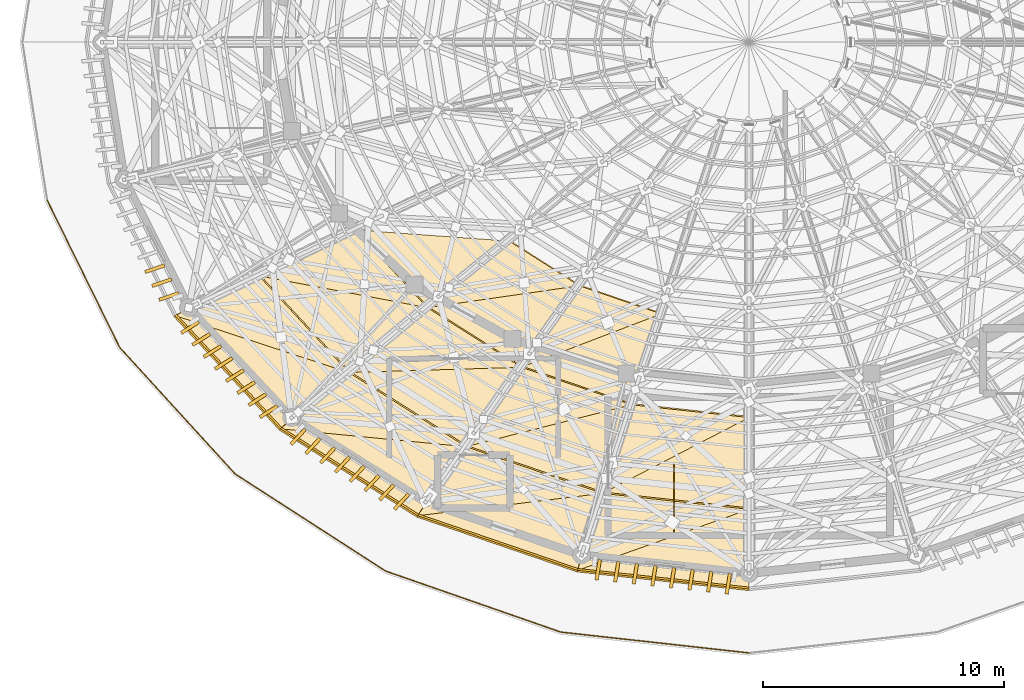
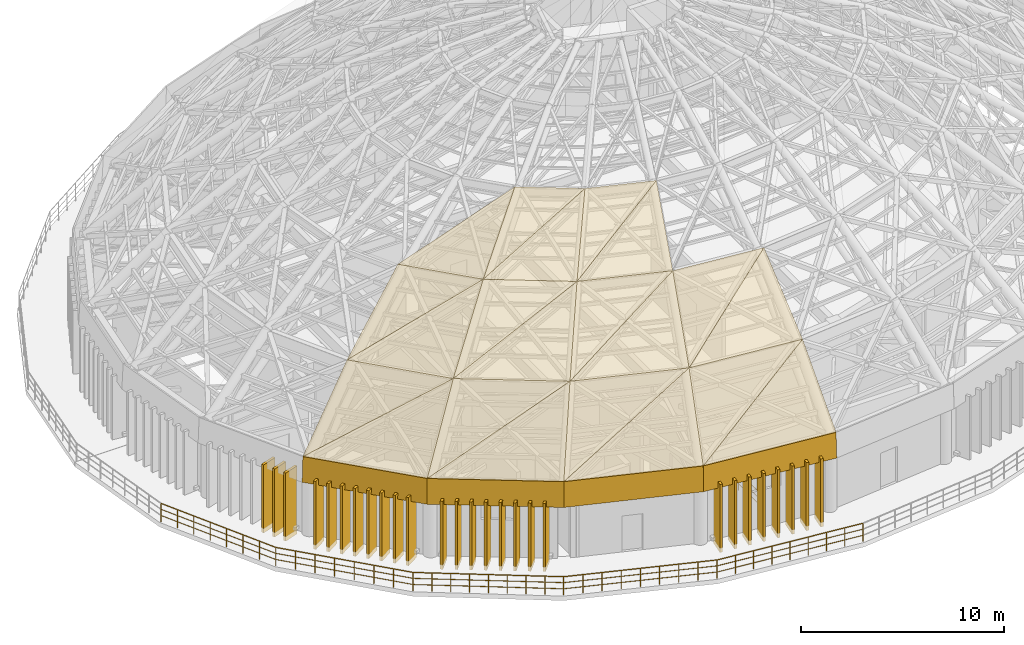
# One storey, part 42 of 50: 27 shading devices, 25 coverings, 6 railings, 2 elements without a shape of their own.
"""IFC4 building model written with IfcOpenShell, lengths in metres."""

from ifc_helpers import new_model, si_unit, direction, frame, origin, origin_2d, place, context, subcontext, project, spatial, polyline, rectangle, circle, outline, extrude, material, layer, layer_set, type_object, element, aggregate, save


model = new_model("IFC4")

# Units and contexts
model_context = context("Model", 3, precision=1e-05, world=origin(), true_north=direction((0.0, 1.0)))
body_context = subcontext(model_context, "Body", "Model", "MODEL_VIEW")
ifc_project = project(units=[si_unit("LENGTHUNIT", "METRE"), si_unit("AREAUNIT", "SQUARE_METRE"), si_unit("VOLUMEUNIT", "CUBIC_METRE"), si_unit("PLANEANGLEUNIT", "RADIAN"), si_unit("MASSUNIT", "GRAM", prefix="KILO")], contexts=[model_context])

# Site, building, storey
site_placement = place(None, origin())
site = spatial("IfcSite", under=ifc_project, at=site_placement, CompositionType="ELEMENT")
building_placement = place(site_placement, origin())
building = spatial("IfcBuilding", under=site, at=building_placement, Name="Cinderbank Siding Concert Hall", CompositionType="ELEMENT")
storey_placement = place(building_placement, frame((0.0, 0.0, 23.699951171875)))
storey = spatial("IfcBuildingStorey", under=building, at=storey_placement, Name="L06", CompositionType="ELEMENT", Elevation=23.699951171875)

# Railings
ifc_material_1 = material(Name="Structural steel AS/NZS 3679.1 Grade 350 (340 MPa)", Category="steel")
railing_type_1 = type_object("IfcRailingType", Name="GD-01 Terrace & Perimeter Guardrail 1120mm", PredefinedType="GUARDRAIL", material=ifc_material_1)
railing_1_placement = place(storey_placement, frame((122.0, 18.70068359375, 0.0)))
element("IfcRailing", 1, at=railing_1_placement, inside=storey, type_object=railing_type_1, Name="L06 Perimeter Guardrail #157", PredefinedType="GUARDRAIL", context=body_context, shape_type="SweptSolid", body=[
    extrude(circle(Radius=0.02392578125, at=origin_2d()), frame((0.0, 0.0, 1.09619140625), z_axis=(-0.993925427563, 0.110055642488, 0.0), x_axis=(-0.110055642488, -0.993925427563, 0.0)), (0.0, 0.0, 1.0), 7.841796875),
    extrude(circle(Radius=0.01611328125, at=origin_2d()), frame((0.0, 0.0, 0.36962890625), z_axis=(-0.993925427563, 0.110055642488, 0.0), x_axis=(-0.110055642488, -0.993925427563, 0.0)), (0.0, 0.0, 1.0), 7.841796875),
    extrude(circle(Radius=0.01611328125, at=origin_2d()), frame((0.0, 0.0, 0.7392578125), z_axis=(-0.993925427563, 0.110055642488, 0.0), x_axis=(-0.110055642488, -0.993925427563, 0.0)), (0.0, 0.0, 1.0), 7.841796875),
    extrude(circle(Radius=0.02099609375, at=origin_2d()), origin(), (0.0, 0.0, 1.0), 1.072021484375),
    extrude(circle(Radius=0.02099609375, at=origin_2d()), frame((-0.974365234375, 0.10791015625, 0.0)), (0.0, 0.0, 1.0), 1.072021484375),
    extrude(circle(Radius=0.02099609375, at=origin_2d()), frame((-1.948486328125, 0.2158203125, 0.0)), (0.0, 0.0, 1.0), 1.072021484375),
    extrude(circle(Radius=0.02099609375, at=origin_2d()), frame((-2.9228515625, 0.32373046875, 0.0)), (0.0, 0.0, 1.0), 1.072021484375),
    extrude(circle(Radius=0.02099609375, at=origin_2d()), frame((-3.89697265625, 0.431640625, 0.0)), (0.0, 0.0, 1.0), 1.072021484375),
    extrude(circle(Radius=0.02099609375, at=origin_2d()), frame((-4.871337890625, 0.539306640625, 0.0)), (0.0, 0.0, 1.0), 1.072021484375),
    extrude(circle(Radius=0.02099609375, at=origin_2d()), frame((-5.845703125, 0.647216796875, 0.0)), (0.0, 0.0, 1.0), 1.072021484375),
    extrude(circle(Radius=0.02099609375, at=origin_2d()), frame((-6.81982421875, 0.755126953125, 0.0)), (0.0, 0.0, 1.0), 1.072021484375),
    extrude(circle(Radius=0.02099609375, at=origin_2d()), frame((-7.794189453125, 0.863037109375, 0.0)), (0.0, 0.0, 1.0), 1.072021484375),
])
railing_2_placement = place(storey_placement, frame((114.205810546875, 19.563720703125, 0.0)))
element("IfcRailing", 2, at=railing_2_placement, inside=storey, type_object=railing_type_1, Name="L06 Perimeter Guardrail #158", PredefinedType="GUARDRAIL", context=body_context, shape_type="SweptSolid", body=[
    extrude(circle(Radius=0.02392578125, at=origin_2d()), frame((0.0, 0.0, 1.09619140625), z_axis=(-0.94433649483, 0.328981130965, 0.0), x_axis=(-0.328981130965, -0.94433649483, 0.0)), (0.0, 0.0, 1.0), 7.689697265625),
    extrude(circle(Radius=0.01611328125, at=origin_2d()), frame((0.0, 0.0, 0.36962890625), z_axis=(-0.94433649483, 0.328981130965, 0.0), x_axis=(-0.328981130965, -0.94433649483, 0.0)), (0.0, 0.0, 1.0), 7.689697265625),
    extrude(circle(Radius=0.01611328125, at=origin_2d()), frame((0.0, 0.0, 0.7392578125), z_axis=(-0.94433649483, 0.328981130965, 0.0), x_axis=(-0.328981130965, -0.94433649483, 0.0)), (0.0, 0.0, 1.0), 7.689697265625),
    extrude(circle(Radius=0.02099609375, at=origin_2d()), origin(), (0.0, 0.0, 1.0), 1.072021484375),
    extrude(circle(Radius=0.02099609375, at=origin_2d()), frame((-0.90771484375, 0.316162109375, 0.0)), (0.0, 0.0, 1.0), 1.072021484375),
    extrude(circle(Radius=0.02099609375, at=origin_2d()), frame((-1.8154296875, 0.63232421875, 0.0)), (0.0, 0.0, 1.0), 1.072021484375),
    extrude(circle(Radius=0.02099609375, at=origin_2d()), frame((-2.72314453125, 0.94873046875, 0.0)), (0.0, 0.0, 1.0), 1.072021484375),
    extrude(circle(Radius=0.02099609375, at=origin_2d()), frame((-3.630859375, 1.264892578125, 0.0)), (0.0, 0.0, 1.0), 1.072021484375),
    extrude(circle(Radius=0.02099609375, at=origin_2d()), frame((-4.53857421875, 1.5810546875, 0.0)), (0.0, 0.0, 1.0), 1.072021484375),
    extrude(circle(Radius=0.02099609375, at=origin_2d()), frame((-5.4462890625, 1.8974609375, 0.0)), (0.0, 0.0, 1.0), 1.072021484375),
    extrude(circle(Radius=0.02099609375, at=origin_2d()), frame((-6.35400390625, 2.213623046875, 0.0)), (0.0, 0.0, 1.0), 1.072021484375),
    extrude(circle(Radius=0.02099609375, at=origin_2d()), frame((-7.26171875, 2.52978515625, 0.0)), (0.0, 0.0, 1.0), 1.072021484375),
])
railing_3_placement = place(storey_placement, frame((106.944091796875, 22.093505859375, 0.0)))
element("IfcRailing", 3, at=railing_3_placement, inside=storey, type_object=railing_type_1, Name="L06 Perimeter Guardrail #159", PredefinedType="GUARDRAIL", context=body_context, shape_type="SweptSolid", body=[
    extrude(circle(Radius=0.02392578125, at=origin_2d()), frame((0.0, 0.0, 1.09619140625), z_axis=(-0.840220235148, 0.54224529177, 0.0), x_axis=(-0.54224529177, -0.840220235148, 0.0)), (0.0, 0.0, 1.0), 7.4189453125),
    extrude(circle(Radius=0.01611328125, at=origin_2d()), frame((0.0, 0.0, 0.36962890625), z_axis=(-0.840220235148, 0.54224529177, 0.0), x_axis=(-0.54224529177, -0.840220235148, 0.0)), (0.0, 0.0, 1.0), 7.4189453125),
    extrude(circle(Radius=0.01611328125, at=origin_2d()), frame((0.0, 0.0, 0.7392578125), z_axis=(-0.840220235148, 0.54224529177, 0.0), x_axis=(-0.54224529177, -0.840220235148, 0.0)), (0.0, 0.0, 1.0), 7.4189453125),
    extrude(circle(Radius=0.02099609375, at=origin_2d()), origin(), (0.0, 0.0, 1.0), 1.072021484375),
    extrude(circle(Radius=0.02099609375, at=origin_2d()), frame((-0.779296875, 0.5029296875, 0.0)), (0.0, 0.0, 1.0), 1.072021484375),
    extrude(circle(Radius=0.02099609375, at=origin_2d()), frame((-1.558349609375, 1.005859375, 0.0)), (0.0, 0.0, 1.0), 1.072021484375),
    extrude(circle(Radius=0.02099609375, at=origin_2d()), frame((-2.337646484375, 1.508544921875, 0.0)), (0.0, 0.0, 1.0), 1.072021484375),
    extrude(circle(Radius=0.02099609375, at=origin_2d()), frame((-3.11669921875, 2.011474609375, 0.0)), (0.0, 0.0, 1.0), 1.072021484375),
    extrude(circle(Radius=0.02099609375, at=origin_2d()), frame((-3.89599609375, 2.514404296875, 0.0)), (0.0, 0.0, 1.0), 1.072021484375),
    extrude(circle(Radius=0.02099609375, at=origin_2d()), frame((-4.67529296875, 3.01708984375, 0.0)), (0.0, 0.0, 1.0), 1.072021484375),
    extrude(circle(Radius=0.02099609375, at=origin_2d()), frame((-5.454345703125, 3.52001953125, 0.0)), (0.0, 0.0, 1.0), 1.072021484375),
    extrude(circle(Radius=0.02099609375, at=origin_2d()), frame((-6.233642578125, 4.02294921875, 0.0)), (0.0, 0.0, 1.0), 1.072021484375),
])
railing_4_placement = place(storey_placement, frame((100.71044921875, 26.116455078125, 0.0)))
element("IfcRailing", 4, at=railing_4_placement, inside=storey, type_object=railing_type_1, Name="L06 Perimeter Guardrail #160", PredefinedType="GUARDRAIL", context=body_context, shape_type="SweptSolid", body=[
    extrude(circle(Radius=0.02392578125, at=origin_2d()), frame((0.0, 0.0, 1.09619140625), z_axis=(-0.673978793804, 0.738750692387, 0.0), x_axis=(-0.738750692387, -0.673978793804, 0.0)), (0.0, 0.0, 1.0), 7.09375),
    extrude(circle(Radius=0.01611328125, at=origin_2d()), frame((0.0, 0.0, 0.36962890625), z_axis=(-0.673978793804, 0.738750692387, 0.0), x_axis=(-0.738750692387, -0.673978793804, 0.0)), (0.0, 0.0, 1.0), 7.09375),
    extrude(circle(Radius=0.01611328125, at=origin_2d()), frame((0.0, 0.0, 0.7392578125), z_axis=(-0.673978793804, 0.738750692387, 0.0), x_axis=(-0.738750692387, -0.673978793804, 0.0)), (0.0, 0.0, 1.0), 7.09375),
    extrude(circle(Radius=0.02099609375, at=origin_2d()), origin(), (0.0, 0.0, 1.0), 1.072021484375),
    extrude(circle(Radius=0.02099609375, at=origin_2d()), frame((-0.68310546875, 0.74853515625, 0.0)), (0.0, 0.0, 1.0), 1.072021484375),
    extrude(circle(Radius=0.02099609375, at=origin_2d()), frame((-1.365966796875, 1.497314453125, 0.0)), (0.0, 0.0, 1.0), 1.072021484375),
    extrude(circle(Radius=0.02099609375, at=origin_2d()), frame((-2.049072265625, 2.245849609375, 0.0)), (0.0, 0.0, 1.0), 1.072021484375),
    extrude(circle(Radius=0.02099609375, at=origin_2d()), frame((-2.73193359375, 2.99462890625, 0.0)), (0.0, 0.0, 1.0), 1.072021484375),
    extrude(circle(Radius=0.02099609375, at=origin_2d()), frame((-3.4150390625, 3.7431640625, 0.0)), (0.0, 0.0, 1.0), 1.072021484375),
    extrude(circle(Radius=0.02099609375, at=origin_2d()), frame((-4.097900390625, 4.491943359375, 0.0)), (0.0, 0.0, 1.0), 1.072021484375),
    extrude(circle(Radius=0.02099609375, at=origin_2d()), frame((-4.781005859375, 5.240478515625, 0.0)), (0.0, 0.0, 1.0), 1.072021484375),
])
railing_5_placement = place(storey_placement, frame((95.929443359375, 31.35693359375, 0.0)))
element("IfcRailing", 5, at=railing_5_placement, inside=storey, type_object=railing_type_1, Name="L06 Perimeter Guardrail #161", PredefinedType="GUARDRAIL", context=body_context, shape_type="SweptSolid", body=[
    extrude(circle(Radius=0.02392578125, at=origin_2d()), frame((0.0, 0.0, 1.09619140625), z_axis=(-0.441833864592, 0.897096893373, 0.0), x_axis=(-0.897096893373, -0.441833864592, 0.0)), (0.0, 0.0, 1.0), 6.79931640625),
    extrude(circle(Radius=0.01611328125, at=origin_2d()), frame((0.0, 0.0, 0.36962890625), z_axis=(-0.441833864592, 0.897096893373, 0.0), x_axis=(-0.897096893373, -0.441833864592, 0.0)), (0.0, 0.0, 1.0), 6.79931640625),
    extrude(circle(Radius=0.01611328125, at=origin_2d()), frame((0.0, 0.0, 0.7392578125), z_axis=(-0.441833864592, 0.897096893373, 0.0), x_axis=(-0.897096893373, -0.441833864592, 0.0)), (0.0, 0.0, 1.0), 6.79931640625),
    extrude(circle(Radius=0.02099609375, at=origin_2d()), origin(), (0.0, 0.0, 1.0), 1.072021484375),
    extrude(circle(Radius=0.02099609375, at=origin_2d()), frame((-0.42919921875, 0.871337890625, 0.0)), (0.0, 0.0, 1.0), 1.072021484375),
    extrude(circle(Radius=0.02099609375, at=origin_2d()), frame((-0.8583984375, 1.74267578125, 0.0)), (0.0, 0.0, 1.0), 1.072021484375),
    extrude(circle(Radius=0.02099609375, at=origin_2d()), frame((-1.28759765625, 2.614013671875, 0.0)), (0.0, 0.0, 1.0), 1.072021484375),
    extrude(circle(Radius=0.02099609375, at=origin_2d()), frame((-1.716552734375, 3.485595703125, 0.0)), (0.0, 0.0, 1.0), 1.072021484375),
    extrude(circle(Radius=0.02099609375, at=origin_2d()), frame((-2.145751953125, 4.35693359375, 0.0)), (0.0, 0.0, 1.0), 1.072021484375),
    extrude(circle(Radius=0.02099609375, at=origin_2d()), frame((-2.574951171875, 5.228271484375, 0.0)), (0.0, 0.0, 1.0), 1.072021484375),
    extrude(circle(Radius=0.02099609375, at=origin_2d()), frame((-3.004150390625, 6.099609375, 0.0)), (0.0, 0.0, 1.0), 1.072021484375),
])

# Shading devices
ifc_material_2 = material(Name="Glazed architectural terracotta acoustic louvre unit", Category="masonry")
shading_device_type = type_object("IfcShadingDeviceType", Name="LV-02 Terracotta Louvre Blade 850x4050", PredefinedType="JALOUSIE", material=ifc_material_2)
for number, where, z_axis, x_axis, name in (
    (6, (97.38623046875, 34.6181640625, -0.27490234375), (0.0, 0.0, 1.0), (-0.946765351164, -0.321924478466, 0.0), "L06 Terracotta Louvre Blade #287"),
    (7, (97.677001953125, 34.0419921875, -0.27490234375), (0.0, 0.0, 1.0), (-0.946765351164, -0.321924478466, 0.0), "L06 Terracotta Louvre Blade #288"),
    (8, (97.9677734375, 33.4658203125, -0.27490234375), (0.0, 0.0, 1.0), (-0.946765351164, -0.321924478466, 0.0), "L06 Terracotta Louvre Blade #289"),
    (9, (98.84130859375, 32.18359375, -0.27490234375), (0.0, 0.0, 1.0), (-0.846132246596, -0.532973002384, 0.0), "L06 Terracotta Louvre Blade #290"),
    (10, (99.30712890625, 31.68505859375, -0.27490234375), (0.0, 0.0, 1.0), (-0.846132246596, -0.532973002384, 0.0), "L06 Terracotta Louvre Blade #291"),
    (11, (99.77294921875, 31.186767578125, -0.27490234375), (0.0, 0.0, 1.0), (-0.846132246596, -0.532973002384, 0.0), "L06 Terracotta Louvre Blade #292"),
    (12, (100.23876953125, 30.6884765625, -0.27490234375), (0.0, 0.0, 1.0), (-0.846132246596, -0.532973002384, 0.0), "L06 Terracotta Louvre Blade #293"),
    (13, (100.704345703125, 30.190185546875, -0.27490234375), (0.0, 0.0, 1.0), (-0.846132246596, -0.532973002384, 0.0), "L06 Terracotta Louvre Blade #294"),
    (14, (101.170166015625, 29.69189453125, -0.27490234375), (0.0, 0.0, 1.0), (-0.846132246596, -0.532973002384, 0.0), "L06 Terracotta Louvre Blade #295"),
    (15, (101.635986328125, 29.193603515625, -0.27490234375), (0.0, 0.0, 1.0), (-0.846132246596, -0.532973002384, 0.0), "L06 Terracotta Louvre Blade #296"),
    (16, (102.101806640625, 28.6953125, -0.27490234375), (0.0, 0.0, 1.0), (-0.846132246596, -0.532973002384, 0.0), "L06 Terracotta Louvre Blade #297"),
    (17, (103.3232421875, 27.656005859375, -0.27490234375), (0.0, 0.0, 1.0), (-0.682869257989, -0.730540605643, 0.0), "L06 Terracotta Louvre Blade #298"),
    (18, (103.9345703125, 27.27099609375, -0.27490234375), (0.0, 0.0, 1.0), (-0.682869257989, -0.730540605643, 0.0), "L06 Terracotta Louvre Blade #299"),
    (19, (104.5458984375, 26.885986328125, -0.27490234375), (0.0, 0.0, 1.0), (-0.682869257989, -0.730540605643, 0.0), "L06 Terracotta Louvre Blade #300"),
    (20, (105.1572265625, 26.5009765625, -0.27490234375), (0.0, 0.0, 1.0), (-0.682869257989, -0.730540605643, 0.0), "L06 Terracotta Louvre Blade #301"),
    (21, (105.7685546875, 26.11572265625, -0.27490234375), (0.0, 0.0, 1.0), (-0.682869257989, -0.730540605643, 0.0), "L06 Terracotta Louvre Blade #302"),
    (22, (106.3798828125, 25.730712890625, -0.27490234375), (0.0, 0.0, 1.0), (-0.682869257989, -0.730540605643, 0.0), "L06 Terracotta Louvre Blade #303"),
    (23, (106.9912109375, 25.345703125, -0.27490234375), (0.0, 0.0, 1.0), (-0.682869257989, -0.730540605643, 0.0), "L06 Terracotta Louvre Blade #304"),
    (24, (107.602294921875, 24.960693359375, -0.27490234375), (0.0, 0.0, 1.0), (-0.682869257989, -0.730540605643, 0.0), "L06 Terracotta Louvre Blade #305"),
    (25, (115.75244140625, 22.142822265625, -0.27490234375), (0.0, 0.0, 1.0), (-0.158354123126, -0.987382383724, 0.0), "L06 Terracotta Louvre Blade #306"),
    (26, (116.522705078125, 22.0595703125, -0.27490234375), (0.0, 0.0, 1.0), (-0.158354123126, -0.987382383724, 0.0), "L06 Terracotta Louvre Blade #307"),
    (27, (117.292724609375, 21.976318359375, -0.27490234375), (0.0, 0.0, 1.0), (-0.158354123126, -0.987382383724, 0.0), "L06 Terracotta Louvre Blade #308"),
    (28, (118.062744140625, 21.89306640625, -0.27490234375), (0.0, 0.0, 1.0), (-0.158354123126, -0.987382383724, 0.0), "L06 Terracotta Louvre Blade #309"),
    (29, (118.8330078125, 21.809814453125, -0.27490234375), (0.0, 0.0, 1.0), (-0.158354123126, -0.987382383724, 0.0), "L06 Terracotta Louvre Blade #310"),
    (30, (119.60302734375, 21.726806640625, -0.27490234375), (0.0, 0.0, 1.0), (-0.158354123126, -0.987382383724, 0.0), "L06 Terracotta Louvre Blade #311"),
    (31, (120.373291015625, 21.643310546875, -0.27490234375), (0.0, 0.0, 1.0), (-0.158354123126, -0.987382383724, 0.0), "L06 Terracotta Louvre Blade #312"),
    (32, (121.143310546875, 21.560302734375, -0.27490234375), (0.0, 0.0, 1.0), (-0.158354123126, -0.987382383724, 0.0), "L06 Terracotta Louvre Blade #313"),
):
    element("IfcShadingDevice", number, at=place(storey_placement, frame(where, z_axis=z_axis, x_axis=x_axis)), inside=storey, type_object=shading_device_type, Name=name, PredefinedType="JALOUSIE", context=body_context, shape_type="SweptSolid", body=[
        extrude(rectangle(XDim=0.85009765625, YDim=0.139892578125, at=origin_2d()), origin(), (0.0, 0.0, 1.0), 4.090087890625),
    ])

# Roof, coverings
ifc_material_3 = material(Name="Patinated sheet copper roofing", Category="metal")
roof_type = type_object("IfcRoofType", Name="RF-DM1 Schwedler Dome Sector Roof", PredefinedType="DOME_ROOF", material=ifc_material_3)
roof_1_placement = place(storey_placement, origin())
roof_1 = element("IfcRoof", 33, at=roof_1_placement, inside=storey, type_object=roof_type, Name="Schwedler Dome Roof Bay 08", PredefinedType="DOME_ROOF")
ifc_layer = layer(ifc_material_3, 0.080078125)
ifc_layer_set = layer_set([ifc_layer], Name="Patinated sheet copper roofing")
covering_type = type_object("IfcCoveringType", Name="RC-01 Standing Seam Copper Roofing", PredefinedType="ROOFING", material=ifc_layer_set)
covering_1_placement = place(storey_placement, frame((98.1669921875, 32.639892578125, 3.449951171875), z_axis=(-0.731720505767, -0.680086197428, 0.045473789239), x_axis=(0.68079045371, -0.732478230487, 1.4062e-08)))
covering_1 = element("IfcCovering", 34, at=covering_1_placement, type_object=covering_type, Name="Dome Springing Copper Fascia B08-0", PredefinedType="ROOFING", context=body_context, shape_type="SweptSolid", body=[
    extrude(outline(polyline([(0.0, 0.0), (6.423840901729181, 0.0), (6.420307234870011, 1.5015532181929938), (0.015468567804986698, 1.5015533987815566), (0.0, 0.0)])), origin(), (0.0, 0.0, -1.0), 0.080078125),
])
covering_2_placement = place(storey_placement, frame((98.2275390625, 32.675048828125, 4.949951171875), z_axis=(-0.513510049053, -0.477512232968, 0.712944245286), x_axis=(0.680972790653, -0.732308717953, 0.0)))
covering_2 = element("IfcCovering", 35, at=covering_2_placement, type_object=covering_type, Name="Dome Copper Facet B08-0-0-0", PredefinedType="ROOFING", context=body_context, shape_type="SweptSolid", body=[
    extrude(outline(polyline([(0.0, 0.0), (6.405989706752592, 0.0), (6.6231926006766235, 5.134043440855763), (0.0, 0.0)])), origin(), (0.0, 0.0, -1.0), 0.080078125),
])
covering_3_placement = place(storey_placement, frame((98.2275390625, 32.675048828125, 4.949951171875), z_axis=(-0.513510097467, -0.477503388836, 0.712950133915), x_axis=(0.858071467448, -0.281343026556, 0.429603838624)))
covering_3 = element("IfcCovering", 36, at=covering_3_placement, type_object=covering_type, Name="Dome Copper Facet B08-0-0-1", PredefinedType="ROOFING", context=body_context, shape_type="SweptSolid", body=[
    extrude(outline(polyline([(0.0, 0.0), (8.380040708627355, -4.440892098500626e-16), (4.054882344360714, 3.3527417654039806), (0.0, 0.0)])), origin(), (0.0, 0.0, -1.0), 0.080078125),
])
covering_4_placement = place(storey_placement, frame((101.691650390625, 34.324951171875, 8.550048828125), z_axis=(-0.4430253953, -0.411960988965, 0.796251620212), x_axis=(0.680965992364, -0.732315039613, 0.0)))
covering_4 = element("IfcCovering", 37, at=covering_4_placement, type_object=covering_type, Name="Dome Copper Facet B08-0-1-0", PredefinedType="ROOFING", context=body_context, shape_type="SweptSolid", body=[
    extrude(outline(polyline([(0.0, 0.0), (5.472464912767361, 0.0), (5.719694060785756, 5.289476391317351), (0.0, 0.0)])), origin(), (0.0, 0.0, -1.0), 0.080078125),
])
covering_5_placement = place(storey_placement, frame((101.691650390625, 34.324951171875, 8.550048828125), z_axis=(-0.443021662991, -0.412058505526, 0.796203236708), x_axis=(0.895854920114, -0.169506393217, 0.410745109243)))
covering_5 = element("IfcCovering", 38, at=covering_5_placement, type_object=covering_type, Name="Dome Copper Facet B08-0-1-1", PredefinedType="ROOFING", context=body_context, shape_type="SweptSolid", body=[
    extrude(outline(polyline([(0.0, 0.0), (7.790600788340491, 2.220446049250313e-16), (4.561043120100449, 2.98605726859041), (0.0, 0.0)])), origin(), (0.0, 0.0, -1.0), 0.080078125),
])
covering_6_placement = place(storey_placement, frame((105.67529296875, 36.22509765625, 11.75), z_axis=(-0.385275074516, -0.358347874796, 0.850382218527), x_axis=(0.681055500194, -0.732231797763, 0.0)))
covering_6 = element("IfcCovering", 39, at=covering_6_placement, type_object=covering_type, Name="Dome Copper Facet B08-0-2-0", PredefinedType="ROOFING", context=body_context, shape_type="SweptSolid", body=[
    extrude(outline(polyline([(0.0, 0.0), (4.398474820183659, 2.220446049250313e-16), (4.690814720491108, 5.131372962397389), (0.0, 0.0)])), origin(), (0.0, 0.0, -1.0), 0.080078125),
])
covering_7_placement = place(storey_placement, frame((102.540283203125, 27.9345703125, 3.449951171875), z_axis=(-0.534573158266, -0.843899020914, 0.045453063279), x_axis=(0.844772102528, -0.535126241919, -4.5668e-07)))
covering_7 = element("IfcCovering", 40, at=covering_7_placement, type_object=covering_type, Name="Dome Springing Copper Fascia B08-1", PredefinedType="ROOFING", context=body_context, shape_type="SweptSolid", body=[
    extrude(outline(polyline([(0.0, 0.0), (6.7470780022843915, 0.0), (6.742238085789674, 1.501554973002117), (0.01547617922386426, 1.501548813396729), (0.0, 0.0)])), origin(), (0.0, 0.0, -1.0), 0.080078125),
])
covering_8_placement = place(storey_placement, frame((102.58984375, 27.98388671875, 4.949951171875), z_axis=(-0.384371855072, -0.607100523449, 0.695476262325), x_axis=(0.844897790978, -0.534927773443, 0.0)))
covering_8 = element("IfcCovering", 41, at=covering_8_placement, type_object=covering_type, Name="Dome Copper Facet B08-1-0-0", PredefinedType="ROOFING", context=body_context, shape_type="SweptSolid", body=[
    extrude(outline(polyline([(0.0, 0.0), (6.728693878071593, 0.0), (6.889713943445266, 5.010232143751495), (0.0, 0.0)])), origin(), (0.0, 0.0, -1.0), 0.080078125),
])
covering_9_placement = place(storey_placement, frame((102.58984375, 27.98388671875, 4.949951171875), z_axis=(-0.384373578996, -0.607093577369, 0.695481372926), x_axis=(0.902125321331, -0.087037124369, 0.42260435823)))
covering_9 = element("IfcCovering", 42, at=covering_9_placement, type_object=covering_type, Name="Dome Copper Facet B08-1-0-1", PredefinedType="ROOFING", context=body_context, shape_type="SweptSolid", body=[
    extrude(outline(polyline([(0.0, 0.0), (8.51883703076804, 0.0), (3.8698595896869987, 3.3807936798672924), (0.0, 0.0)])), origin(), (0.0, 0.0, -1.0), 0.080078125),
])
covering_10_placement = place(storey_placement, frame((105.418212890625, 30.3173828125, 8.550048828125), z_axis=(-0.333621593329, -0.526934049709, 0.781688646279), x_axis=(0.844893940464, -0.534933855132, 0.0)))
covering_10 = element("IfcCovering", 43, at=covering_10_placement, type_object=covering_type, Name="Dome Copper Facet B08-1-1-0", PredefinedType="ROOFING", context=body_context, shape_type="SweptSolid", body=[
    extrude(outline(polyline([(0.0, 0.0), (5.748282974376876, 0.0), (5.93123521553537, 5.130849593778218), (0.0, 0.0)])), origin(), (0.0, 0.0, -1.0), 0.080078125),
])
covering_11_placement = place(storey_placement, frame((105.418212890625, 30.3173828125, 8.550048828125), z_axis=(-0.333596442006, -0.527024373061, 0.781638486821), x_axis=(0.912555587095, 0.027519244695, 0.408025724229)))
covering_11 = element("IfcCovering", 44, at=covering_11_placement, type_object=covering_type, Name="Dome Copper Facet B08-1-1-1", PredefinedType="ROOFING", context=body_context, shape_type="SweptSolid", body=[
    extrude(outline(polyline([(0.0, 0.0), (7.842523110324954, 2.220446049250313e-16), (4.347863296253905, 3.022543217726038), (0.0, 0.0)])), origin(), (0.0, 0.0, -1.0), 0.080078125),
])
covering_12_placement = place(storey_placement, frame((108.6708984375, 33.00439453125, 11.75), z_axis=(-0.292276798895, -0.46174652155, 0.837475028084), x_axis=(0.844953598456, -0.534839617508, 0.0)))
covering_12 = element("IfcCovering", 45, at=covering_12_placement, type_object=covering_type, Name="Dome Copper Facet B08-1-2-0", PredefinedType="ROOFING", context=body_context, shape_type="SweptSolid", body=[
    extrude(outline(polyline([(0.0, 0.0), (4.620434472980303, 0.0), (4.8419268358213055, 4.940661925667272), (0.0, 0.0)])), origin(), (0.0, 0.0, -1.0), 0.080078125),
])
covering_13_placement = place(storey_placement, frame((108.6708984375, 33.00439453125, 11.75), z_axis=(-0.292786271009, -0.460203028374, 0.838146390664), x_axis=(0.911316031806, 0.131040059875, 0.390296801013)))
covering_13 = element("IfcCovering", 46, at=covering_13_placement, type_object=covering_type, Name="Dome Copper Facet B08-1-2-1", PredefinedType="ROOFING", context=body_context, shape_type="SweptSolid", body=[
    extrude(outline(polyline([(0.0, 0.0), (6.917687167484864, 2.220446049250313e-16), (4.508434479724525, 2.4678876875915137), (0.0, 0.0)])), origin(), (0.0, 0.0, -1.0), 0.080078125),
])
aggregate(roof_1, [covering_1, covering_2, covering_3, covering_4, covering_5, covering_6, covering_7, covering_8, covering_9, covering_10, covering_11, covering_12, covering_13])

roof_2_placement = place(storey_placement, origin())
roof_2 = element("IfcRoof", 47, at=roof_2_placement, inside=storey, type_object=roof_type, Name="Schwedler Dome Roof Bay 09", PredefinedType="DOME_ROOF")
covering_14_placement = place(storey_placement, frame((108.239990234375, 24.323974609375, 3.449951171875), z_axis=(-0.323236704439, -0.945214042911, 0.045699518465), x_axis=(0.946202602497, -0.323574775017, -2.25716e-07)))
covering_14 = element("IfcCovering", 48, at=covering_14_placement, type_object=covering_type, Name="Dome Springing Copper Fascia B09-0", PredefinedType="ROOFING", context=body_context, shape_type="SweptSolid", body=[
    extrude(outline(polyline([(0.0, 0.0), (7.014584627642678, 2.7755575615628914e-17), (7.007103313348043, 1.5015703754439902), (0.013442148718734925, 1.501567210247598), (0.0, 0.0)])), origin(), (0.0, 0.0, -1.0), 0.080078125),
])
covering_15_placement = place(storey_placement, frame((108.27490234375, 24.384521484375, 4.949951171875), z_axis=(-0.236721826766, -0.692643774087, 0.681327659024), x_axis=(0.94626237199, -0.323399943344, 0.0)))
covering_15 = element("IfcCovering", 49, at=covering_15_placement, type_object=covering_type, Name="Dome Copper Facet B09-0-0-0", PredefinedType="ROOFING", context=body_context, shape_type="SweptSolid", body=[
    extrude(outline(polyline([(0.0, 0.0), (6.996585370739922, 2.220446049250313e-16), (6.945277459836086, 4.918310212332026), (0.0, 0.0)])), origin(), (0.0, 0.0, -1.0), 0.080078125),
])
covering_16_placement = place(storey_placement, frame((108.27490234375, 24.384521484375, 4.949951171875), z_axis=(-0.236733644712, -0.692620815029, 0.681346892596), x_axis=(0.899578766409, 0.108667783888, 0.42302406051)))
covering_16 = element("IfcCovering", 50, at=covering_16_placement, type_object=covering_type, Name="Dome Copper Facet B09-0-0-1", PredefinedType="ROOFING", context=body_context, shape_type="SweptSolid", body=[
    extrude(outline(polyline([(0.0, 0.0), (8.510385087576042, 0.0), (3.632648224828565, 3.4543046290655255), (0.0, 0.0)])), origin(), (0.0, 0.0, -1.0), 0.080078125),
])
covering_17_placement = place(storey_placement, frame((110.27490234375, 27.242431640625, 8.550048828125), z_axis=(-0.206462659796, -0.604055819251, 0.769733549574), x_axis=(0.946254150241, -0.323423999034, 0.0)))
covering_17 = element("IfcCovering", 51, at=covering_17_placement, type_object=covering_type, Name="Dome Copper Facet B09-0-1-0", PredefinedType="ROOFING", context=body_context, shape_type="SweptSolid", body=[
    extrude(outline(polyline([(0.0, 0.0), (5.977000700400588, 0.0), (5.916503060082657, 5.012727268668115), (0.0, 0.0)])), origin(), (0.0, 0.0, -1.0), 0.080078125),
])
covering_18_placement = place(storey_placement, frame((110.27490234375, 27.242431640625, 8.550048828125), z_axis=(-0.206404813414, -0.604160709745, 0.769666739439), x_axis=(0.882897118468, 0.224069421679, 0.412656724736)))
covering_18 = element("IfcCovering", 52, at=covering_18_placement, type_object=covering_type, Name="Dome Copper Facet B09-0-1-1", PredefinedType="ROOFING", context=body_context, shape_type="SweptSolid", body=[
    extrude(outline(polyline([(0.0, 0.0), (7.754511147068933, 0.0), (4.088549115967695, 3.105294704667947), (0.0, 0.0)])), origin(), (0.0, 0.0, -1.0), 0.080078125),
])
covering_19_placement = place(storey_placement, frame((112.574951171875, 30.533203125, 11.75), z_axis=(-0.181920125762, -0.53249238949, 0.826654052781), x_axis=(0.946299055264, -0.323292588851, 0.0)))
covering_19 = element("IfcCovering", 53, at=covering_19_placement, type_object=covering_type, Name="Dome Copper Facet B09-0-2-0", PredefinedType="ROOFING", context=body_context, shape_type="SweptSolid", body=[
    extrude(outline(polyline([(0.0, 0.0), (4.804386830420163, 2.220446049250313e-16), (4.7619954601093974, 4.798117857897304), (0.0, 0.0)])), origin(), (0.0, 0.0, -1.0), 0.080078125),
])
covering_20_placement = place(storey_placement, frame((112.574951171875, 30.533203125, 11.75), z_axis=(-0.182546678307, -0.531480039485, 0.827167261119), x_axis=(0.856289194369, 0.327491793106, 0.399396971764)))
covering_20 = element("IfcCovering", 54, at=covering_20_placement, type_object=covering_type, Name="Dome Copper Facet B09-0-2-1", PredefinedType="ROOFING", context=body_context, shape_type="SweptSolid", body=[
    extrude(outline(polyline([(0.0, 0.0), (6.760069211211933, 4.440892098500626e-16), (4.239736117726381, 2.546337916024023), (0.0, 0.0)])), origin(), (0.0, 0.0, -1.0), 0.080078125),
])
covering_21_placement = place(storey_placement, frame((114.877197265625, 22.05419921875, 3.449951171875), z_axis=(-0.107949373683, -0.99308991949, 0.046036339231), x_axis=(0.994143947628, -0.108063922722, 5.25267e-07)))
covering_21 = element("IfcCovering", 55, at=covering_21_placement, type_object=covering_type, Name="Dome Springing Copper Fascia B09-1", PredefinedType="ROOFING", context=body_context, shape_type="SweptSolid", body=[
    extrude(outline(polyline([(0.0, 0.0), (7.164751067139255, 6.938893903907228e-18), (7.153808423114968, 1.5015882777557032), (0.010896073417949797, 1.5015958010786592), (0.0, 0.0)])), origin(), (0.0, 0.0, -1.0), 0.080078125),
])
covering_22_placement = place(storey_placement, frame((114.8955078125, 22.121826171875, 4.949951171875), z_axis=(-0.079821330609, -0.734830977769, 0.673536924965), x_axis=(0.994151960325, -0.107990183732, 0.0)))
covering_22 = element("IfcCovering", 56, at=covering_22_placement, type_object=covering_type, Name="Dome Copper Facet B09-1-0-0", PredefinedType="ROOFING", context=body_context, shape_type="SweptSolid", body=[
    extrude(outline(polyline([(0.0, 0.0), (7.146283939508513, 0.0), (6.789937425027319, 4.8705678592748125), (0.0, 0.0)])), origin(), (0.0, 0.0, -1.0), 0.080078125),
])
covering_23_placement = place(storey_placement, frame((114.8955078125, 22.121826171875, 4.949951171875), z_axis=(-0.079836331589, -0.734813477717, 0.673554239185), x_axis=(0.850208513515, 0.302539833589, 0.430830747089)))
covering_23 = element("IfcCovering", 57, at=covering_23_placement, type_object=covering_type, Name="Dome Copper Facet B09-1-0-1", PredefinedType="ROOFING", context=body_context, shape_type="SweptSolid", body=[
    extrude(outline(polyline([(0.0, 0.0), (8.356176249193613, -4.440892098500626e-16), (3.395477138971689, 3.5585309953928235), (0.0, 0.0)])), origin(), (0.0, 0.0, -1.0), 0.080078125),
])
covering_24_placement = place(storey_placement, frame((115.9306640625, 25.309326171875, 8.550048828125), z_axis=(-0.069812437802, -0.642553574143, 0.763053817161), x_axis=(0.994149505088, -0.108012784121, 0.0)))
covering_24 = element("IfcCovering", 58, at=covering_24_placement, type_object=covering_type, Name="Dome Copper Facet B09-1-1-0", PredefinedType="ROOFING", context=body_context, shape_type="SweptSolid", body=[
    extrude(outline(polyline([(0.0, 0.0), (6.105053522069077, 0.0), (5.694599668348422, 4.950917716190023), (0.0, 0.0)])), origin(), (0.0, 0.0, -1.0), 0.080078125),
])
covering_25_placement = place(storey_placement, frame((115.9306640625, 25.309326171875, 8.550048828125), z_axis=(-0.069808941824, -0.642557385756, 0.763050927299), x_axis=(0.804326260221, 0.416204867718, 0.42406694661)))
covering_25 = element("IfcCovering", 59, at=covering_25_placement, type_object=covering_type, Name="Dome Copper Facet B09-1-1-1", PredefinedType="ROOFING", context=body_context, shape_type="SweptSolid", body=[
    extrude(outline(polyline([(0.0, 0.0), (7.5458632120678, 0.0), (3.84242793614617, 3.219758094959372), (0.0, 0.0)])), origin(), (0.0, 0.0, -1.0), 0.080078125),
])
aggregate(roof_2, [covering_14, covering_15, covering_16, covering_17, covering_18, covering_19, covering_20, covering_21, covering_22, covering_23, covering_24, covering_25])

# Railing
railing_type_2 = type_object("IfcRailingType", Name="STG-01 Stair Well Guardrail 1120mm", PredefinedType="GUARDRAIL", material=ifc_material_1)
railing_6_placement = place(storey_placement, frame((118.89990234375, 23.699951171875, 0.0)))
element("IfcRailing", 60, at=railing_6_placement, inside=storey, type_object=railing_type_2, Name="L06 ST-02 top well guard 1", PredefinedType="GUARDRAIL", context=body_context, shape_type="SweptSolid", body=[
    extrude(circle(Radius=0.02392578125, at=origin_2d()), frame((0.0, 0.0, 1.09619140625), z_axis=(0.0, 1.0, 0.0), x_axis=(-1.0, 0.0, 0.0)), (0.0, 0.0, 1.0), 2.81005859375),
    extrude(circle(Radius=0.01611328125, at=origin_2d()), frame((0.0, 0.0, 0.36962890625), z_axis=(0.0, 1.0, 0.0), x_axis=(-1.0, 0.0, 0.0)), (0.0, 0.0, 1.0), 2.81005859375),
    extrude(circle(Radius=0.01611328125, at=origin_2d()), frame((0.0, 0.0, 0.7392578125), z_axis=(0.0, 1.0, 0.0), x_axis=(-1.0, 0.0, 0.0)), (0.0, 0.0, 1.0), 2.81005859375),
    extrude(circle(Radius=0.02099609375, at=origin_2d()), origin(), (0.0, 0.0, 1.0), 1.072021484375),
    extrude(circle(Radius=0.02099609375, at=origin_2d()), frame((0.0, 0.936767578125, 0.0)), (0.0, 0.0, 1.0), 1.072021484375),
    extrude(circle(Radius=0.02099609375, at=origin_2d()), frame((0.0, 1.873291015625, 0.0)), (0.0, 0.0, 1.0), 1.072021484375),
    extrude(circle(Radius=0.02099609375, at=origin_2d()), frame((0.0, 2.81005859375, 0.0)), (0.0, 0.0, 1.0), 1.072021484375),
])

save(model, "model.ifc")
